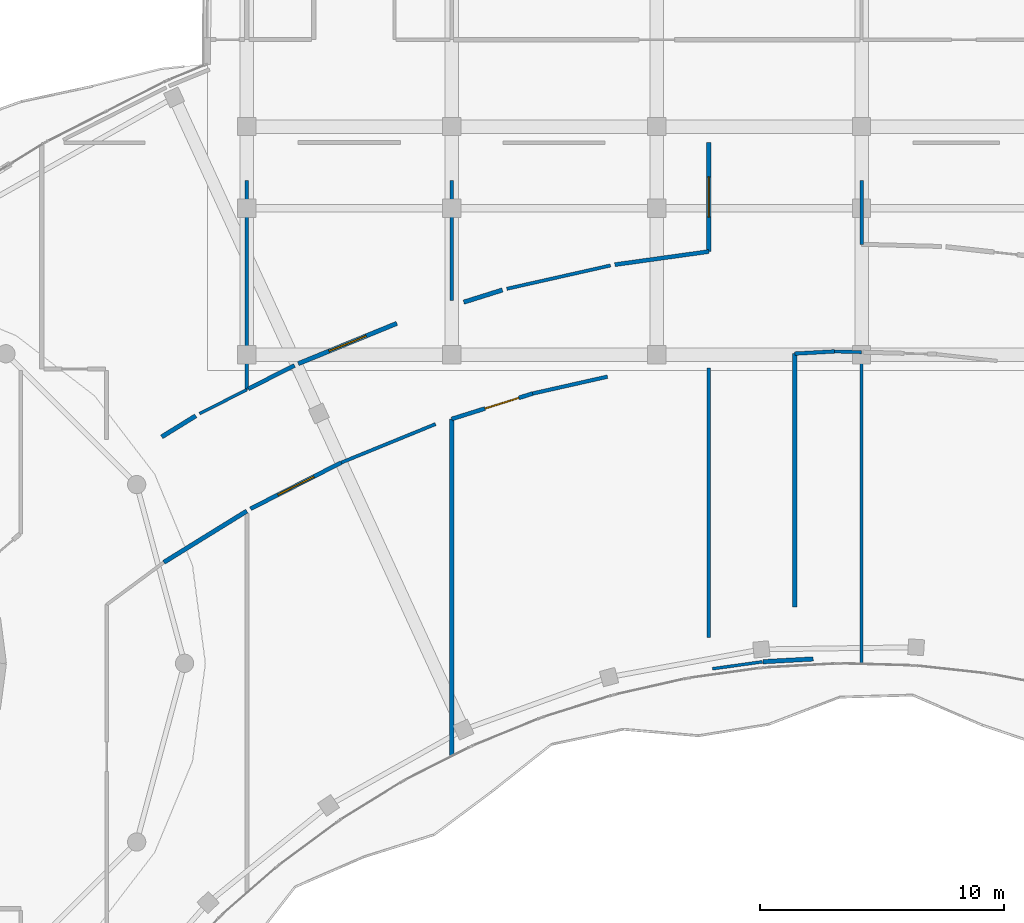
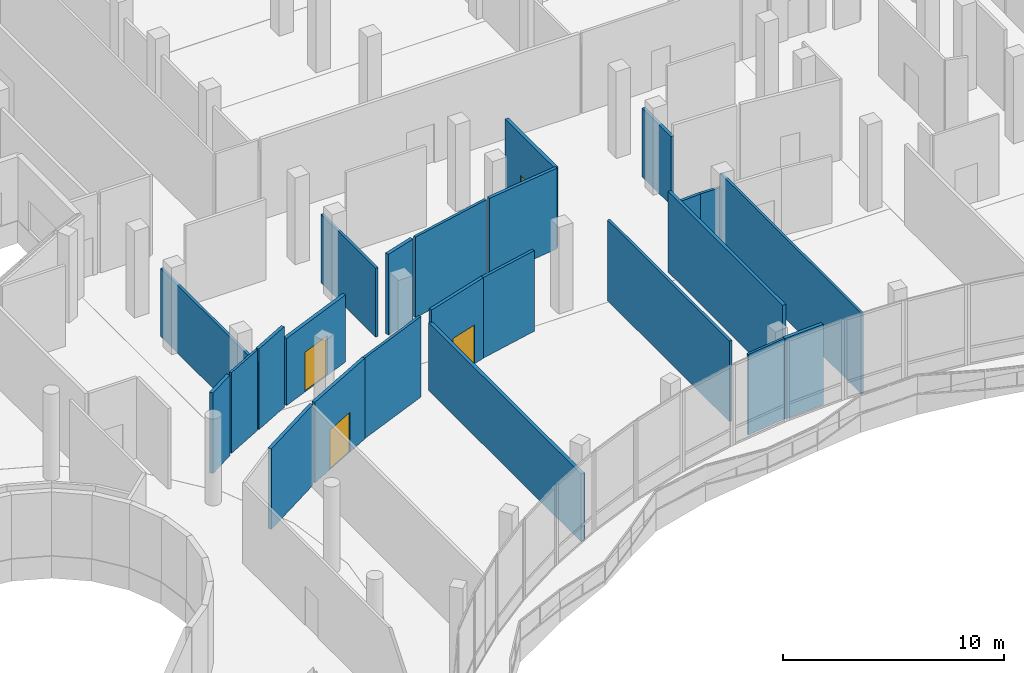
# One storey, part 133 of 155: 24 walls, 4 doors, 4 openings.
"""IFC4 building model written with IfcOpenShell, lengths in metres."""

from ifc_helpers import new_model, si_unit, direction, frame, frame_2d, origin, place, context, subcontext, project, spatial, rectangle, extrude, material, layer, layer_set, type_object, element, fill, save


model = new_model("IFC4")

# Units and contexts
model_context = context("Model", 3, precision=1e-05, world=origin(), true_north=direction((0.0, 1.0)))
body_context = subcontext(model_context, "Body", "Model", "MODEL_VIEW")
ifc_project = project(units=[si_unit("LENGTHUNIT", "METRE"), si_unit("AREAUNIT", "SQUARE_METRE"), si_unit("VOLUMEUNIT", "CUBIC_METRE"), si_unit("PLANEANGLEUNIT", "RADIAN"), si_unit("MASSUNIT", "GRAM", prefix="KILO")], contexts=[model_context])

# Site, building, storey
site_placement = place(None, origin())
site = spatial("IfcSite", under=ifc_project, at=site_placement, CompositionType="ELEMENT")
building_placement = place(site_placement, origin())
building = spatial("IfcBuilding", under=site, at=building_placement, Name="Selatvlak General Hospital", CompositionType="ELEMENT")
storey_placement = place(building_placement, frame((0.0, 0.0, 10.199951171875)))
storey = spatial("IfcBuildingStorey", under=building, at=storey_placement, Name="L02", CompositionType="ELEMENT", Elevation=10.199951171875)

# Walls
ifc_material_1 = material(Name="Acoustic gypsum stud partition")
ifc_layer_1 = layer(ifc_material_1, 0.179931640625, Name="Acoustic gypsum stud partition")
ifc_layer_set_1 = layer_set([ifc_layer_1], Name="Acoustic gypsum stud partition")
wall_type_1 = type_object("IfcWallType", Name="WALL-PT-01", PredefinedType="PARTITIONING", material=ifc_layer_set_1)
wall_1_placement = place(storey_placement, frame((111.802978515625, 58.139892578125, 0.0), z_axis=(0.0, 0.0, 1.0), x_axis=(0.850687032492, 0.525672495714, 0.0)))
element("IfcWall", 1, at=wall_1_placement, inside=storey, type_object=wall_type_1, Name="L02 clinical partition PT-L02-1180", PredefinedType="PARTITIONING", context=body_context, shape_type="SweptSolid", body=[
    extrude(rectangle(XDim=3.9931640625, YDim=0.179931640625, at=frame_2d((1.99658203125, 0.0))), origin(), (0.0, 0.0, 1.0), 4.4599609375),
])
wall_2_placement = place(storey_placement, frame((113.10693359375, 64.14208984375, 0.0), z_axis=(0.0, 0.0, 1.0), x_axis=(-0.850576382598, -0.525851516463, 0.0)))
element("IfcWall", 2, at=wall_2_placement, inside=storey, type_object=wall_type_1, Name="L02 clinical partition PT-L02-1185", PredefinedType="PARTITIONING", context=body_context, shape_type="SweptSolid", body=[
    extrude(rectangle(XDim=1.637451171875, YDim=0.179931640625, at=frame_2d((0.81884765625, 0.0))), origin(), (0.0, 0.0, 1.0), 4.4599609375),
])
wall_3_placement = place(storey_placement, frame((123.60009765625, 64.013916015625, 0.0), z_axis=(0.0, 0.0, 1.0), x_axis=(0.0, -1.0, 0.0)))
element("IfcWall", 3, at=wall_3_placement, inside=storey, type_object=wall_type_1, Name="L02 clinical partition PT-L02-1191", PredefinedType="PARTITIONING", context=body_context, shape_type="SweptSolid", body=[
    extrude(rectangle(XDim=13.807861328125, YDim=0.179931640625, at=frame_2d((6.90380859375, 0.0))), origin(), (0.0, 0.0, 1.0), 3.760009765625),
])

# Wall, opening, door
wall_4_placement = place(storey_placement, frame((121.35009765625, 67.931884765625, 0.0), z_axis=(0.0, 0.0, 1.0), x_axis=(-0.925632511798, -0.378423642368, 0.0)))
wall_4 = element("IfcWall", 4, at=wall_4_placement, inside=storey, type_object=wall_type_1, Name="L02 clinical partition PT-L02-1194", PredefinedType="PARTITIONING", context=body_context, shape_type="SweptSolid", body=[
    extrude(rectangle(XDim=4.362548828125, YDim=0.179931640625, at=frame_2d((2.18115234375, 0.0))), origin(), (0.0, 0.0, 1.0), 3.7099609375),
])
opening_1_placement = place(wall_4_placement, frame((1.35595703125, 0.0, 0.0)))
opening_1 = element("IfcOpeningElement", 5, at=opening_1_placement, cuts=wall_4, Name="Opening D-19", PredefinedType="OPENING", context=body_context, shape_type="SweptSolid", body=[
    extrude(rectangle(XDim=1.64990234375, YDim=2.199951171875, at=frame_2d((0.824951171875, 1.10009765625))), frame((0.0, 0.099853515625, 0.0), z_axis=(0.0, -1.0, 0.0), x_axis=(1.0, 0.0, 0.0)), (0.0, 0.0, 1.0), 0.199951171875),
])
ifc_material_2 = material(Name="Hermetic operating theatre sliding door")
door_type_1 = type_object("IfcDoorType", Name="DOOR-D-19", OperationType="DOUBLE_DOOR_SLIDING", PredefinedType="DOOR", material=ifc_material_2)
door_1_placement = place(opening_1_placement, origin())
door_1 = element("IfcDoor", 6, at=door_1_placement, inside=storey, type_object=door_type_1, Name="L02 Operating Theatre 29 door", OperationType="DOUBLE_DOOR_SLIDING", OverallHeight=2.199951171875, OverallWidth=1.64990234375, PredefinedType="DOOR", context=body_context, shape_type="SweptSolid", body=[
    extrude(rectangle(XDim=1.64990234375, YDim=2.199951171875, at=frame_2d((0.824951171875, 1.10009765625))), frame((0.0, 0.02490234375, 0.0), z_axis=(0.0, -1.0, 0.0), x_axis=(1.0, 0.0, 0.0)), (0.0, 0.0, 1.0), 0.050048828125),
])
fill(opening_1, door_1)

# Wall
wall_5_placement = place(storey_placement, frame((136.35302734375, 54.06396484375, 0.0), z_axis=(0.0, 0.0, 1.0), x_axis=(0.998477747352, 0.055156033595, 0.0)))
element("IfcWall", 7, at=wall_5_placement, inside=storey, type_object=wall_type_1, Name="L02 clinical partition PT-L02-1200", PredefinedType="PARTITIONING", context=body_context, shape_type="SweptSolid", body=[
    extrude(rectangle(XDim=2.067138671875, YDim=0.179931640625, at=frame_2d((1.03369140625, 0.0))), origin(), (0.0, 0.0, 1.0), 4.4599609375),
])

# Wall, opening, door
wall_6_placement = place(storey_placement, frame((134.139892578125, 75.340087890625, 0.0), z_axis=(0.0, 0.0, 1.0), x_axis=(0.0, -1.0, 0.0)))
wall_6 = element("IfcWall", 8, at=wall_6_placement, inside=storey, type_object=wall_type_1, Name="L02 clinical partition PT-L02-1206", PredefinedType="PARTITIONING", context=body_context, shape_type="SweptSolid", body=[
    extrude(rectangle(XDim=4.463134765625, YDim=0.179931640625, at=frame_2d((2.2314453125, 0.0))), origin(), (0.0, 0.0, 1.0), 4.4599609375),
])
opening_2_placement = place(wall_6_placement, frame((1.406982421875, 0.0, 0.0)))
opening_2 = element("IfcOpeningElement", 9, at=opening_2_placement, cuts=wall_6, Name="Opening D-19", PredefinedType="OPENING", context=body_context, shape_type="SweptSolid", body=[
    extrude(rectangle(XDim=1.64990234375, YDim=2.199951171875, at=frame_2d((0.824951171875, 1.10009765625))), frame((0.0, 0.099853515625, 0.0), z_axis=(0.0, -1.0, 0.0), x_axis=(1.0, 0.0, 0.0)), (0.0, 0.0, 1.0), 0.199951171875),
])
door_2_placement = place(opening_2_placement, origin())
door_2 = element("IfcDoor", 10, at=door_2_placement, inside=storey, type_object=door_type_1, Name="L02 Operating Theatre 31 door", OperationType="DOUBLE_DOOR_SLIDING", OverallHeight=2.199951171875, OverallWidth=1.64990234375, PredefinedType="DOOR", context=body_context, shape_type="SweptSolid", body=[
    extrude(rectangle(XDim=1.64990234375, YDim=2.199951171875, at=frame_2d((0.824951171875, 1.10009765625))), frame((0.0, 0.02490234375, 0.0), z_axis=(0.0, -1.0, 0.0), x_axis=(1.0, 0.0, 0.0)), (0.0, 0.0, 1.0), 0.050048828125),
])
fill(opening_2, door_2)

# Wall
wall_7_placement = place(storey_placement, frame((125.679931640625, 69.301025390625, 0.0), z_axis=(0.0, 0.0, 1.0), x_axis=(-0.953945729363, -0.299979241664, 0.0)))
element("IfcWall", 11, at=wall_7_placement, inside=storey, type_object=wall_type_1, Name="L02 clinical partition PT-L02-1209", PredefinedType="PARTITIONING", context=body_context, shape_type="SweptSolid", body=[
    extrude(rectangle(XDim=1.66357421875, YDim=0.179931640625, at=frame_2d((0.831787109375, 0.0))), origin(), (0.0, 0.0, 1.0), 4.4599609375),
])

# Wall, opening, door
ifc_layer_2 = layer(ifc_material_1, 0.1650390625, Name="Acoustic gypsum stud partition")
ifc_layer_set_2 = layer_set([ifc_layer_2], Name="Acoustic gypsum stud partition")
wall_type_2 = type_object("IfcWallType", Name="WALL-PT-02", PredefinedType="PARTITIONING", material=ifc_layer_set_2)
wall_8_placement = place(storey_placement, frame((115.35302734375, 60.333984375, 0.0), z_axis=(0.0, 0.0, 1.0), x_axis=(0.891282591813, 0.453448278782, 0.0)))
wall_8 = element("IfcWall", 12, at=wall_8_placement, inside=storey, type_object=wall_type_2, Name="L02 clinical partition PT-L02-1189", PredefinedType="PARTITIONING", context=body_context, shape_type="SweptSolid", body=[
    extrude(rectangle(XDim=4.1748046875, YDim=0.1650390625, at=frame_2d((2.08740234375, 0.0))), origin(), (0.0, 0.0, 1.0), 4.4599609375),
])
opening_3_placement = place(wall_8_placement, frame((1.261962890625, 0.0, 0.0)))
opening_3 = element("IfcOpeningElement", 13, at=opening_3_placement, cuts=wall_8, Name="Opening D-19", PredefinedType="OPENING", context=body_context, shape_type="SweptSolid", body=[
    extrude(rectangle(XDim=1.64990234375, YDim=2.199951171875, at=frame_2d((0.824951171875, 1.10009765625))), frame((0.0, 0.092529296875, 0.0), z_axis=(0.0, -1.0, 0.0), x_axis=(1.0, 0.0, 0.0)), (0.0, 0.0, 1.0), 0.18505859375),
])
door_3_placement = place(opening_3_placement, origin())
door_3 = element("IfcDoor", 14, at=door_3_placement, inside=storey, type_object=door_type_1, Name="L02 Operating Theatre 28 door", OperationType="DOUBLE_DOOR_SLIDING", OverallHeight=2.199951171875, OverallWidth=1.64990234375, PredefinedType="DOOR", context=body_context, shape_type="SweptSolid", body=[
    extrude(rectangle(XDim=1.64990234375, YDim=2.199951171875, at=frame_2d((0.824951171875, 1.10009765625))), frame((0.0, 0.02490234375, 0.0), z_axis=(0.0, -1.0, 0.0), x_axis=(1.0, 0.0, 0.0)), (0.0, 0.0, 1.0), 0.050048828125),
])
fill(opening_3, door_3)

# Wall
wall_9_placement = place(storey_placement, frame((117.15087890625, 66.2080078125, 0.0), z_axis=(0.0, 0.0, 1.0), x_axis=(-0.891105476665, -0.453796242225, 0.0)))
element("IfcWall", 15, at=wall_9_placement, inside=storey, type_object=wall_type_2, Name="L02 clinical partition PT-L02-1195", PredefinedType="PARTITIONING", context=body_context, shape_type="SweptSolid", body=[
    extrude(rectangle(XDim=2.117431640625, YDim=0.1650390625, at=frame_2d((1.05859375, 0.0))), origin(), (0.0, 0.0, 1.0), 4.4599609375),
])

# Wall, opening, door
wall_10_placement = place(storey_placement, frame((123.60009765625, 64.013916015625, 0.0), z_axis=(0.0, 0.0, 1.0), x_axis=(0.953976505083, 0.299881356123, 0.0)))
wall_10 = element("IfcWall", 16, at=wall_10_placement, inside=storey, type_object=wall_type_2, Name="L02 clinical partition PT-L02-1196", PredefinedType="PARTITIONING", context=body_context, shape_type="SweptSolid", body=[
    extrude(rectangle(XDim=3.47802734375, YDim=0.1650390625, at=frame_2d((1.739013671875, 0.0))), origin(), (0.0, 0.0, 1.0), 4.4599609375),
])
opening_4_placement = place(wall_10_placement, frame((1.430908203125, 0.0, 0.0)))
opening_4 = element("IfcOpeningElement", 17, at=opening_4_placement, cuts=wall_10, Name="Opening D-12", PredefinedType="OPENING", context=body_context, shape_type="SweptSolid", body=[
    extrude(rectangle(XDim=1.449951171875, YDim=2.14990234375, at=frame_2d((0.72509765625, 1.074951171875))), frame((0.0, 0.092529296875, 0.0), z_axis=(0.0, -1.0, 0.0), x_axis=(1.0, 0.0, 0.0)), (0.0, 0.0, 1.0), 0.18505859375),
])
ifc_material_3 = material(Name="Isolation anteroom door")
door_type_2 = type_object("IfcDoorType", Name="DOOR-D-12", OperationType="NOTDEFINED", PredefinedType="DOOR", material=ifc_material_3)
door_4_placement = place(opening_4_placement, origin())
door_4 = element("IfcDoor", 18, at=door_4_placement, inside=storey, type_object=door_type_2, Name="L02 Post-Anaesthesia Recovery Suite 30 door", OperationType="SINGLE_SWING_RIGHT", OverallHeight=2.14990234375, OverallWidth=1.449951171875, PredefinedType="DOOR", context=body_context, shape_type="SweptSolid", body=[
    extrude(rectangle(XDim=1.449951171875, YDim=2.14990234375, at=frame_2d((0.72509765625, 1.074951171875))), frame((0.0, 0.02490234375, 0.0), z_axis=(0.0, -1.0, 0.0), x_axis=(1.0, 0.0, 0.0)), (0.0, 0.0, 1.0), 0.050048828125),
])
fill(opening_4, door_4)

# Walls
wall_11_placement = place(storey_placement, frame((137.659912109375, 56.303955078125, 0.0), z_axis=(0.0, 0.0, 1.0), x_axis=(0.0, 1.0, 0.0)))
element("IfcWall", 19, at=wall_11_placement, inside=storey, type_object=wall_type_2, Name="L02 clinical partition PT-L02-1201", PredefinedType="PARTITIONING", context=body_context, shape_type="SweptSolid", body=[
    extrude(rectangle(XDim=10.38916015625, YDim=0.1650390625, at=frame_2d((5.194580078125, 0.0))), origin(), (0.0, 0.0, 1.0), 4.4599609375),
])
wall_12_placement = place(storey_placement, frame((134.139892578125, 70.876953125, 0.0), z_axis=(0.0, 0.0, 1.0), x_axis=(-0.990396303656, -0.138257591848, 0.0)))
element("IfcWall", 20, at=wall_12_placement, inside=storey, type_object=wall_type_2, Name="L02 clinical partition PT-L02-1207", PredefinedType="PARTITIONING", context=body_context, shape_type="SweptSolid", body=[
    extrude(rectangle(XDim=3.89013671875, YDim=0.1650390625, at=frame_2d((1.945068359375, 0.0))), origin(), (0.0, 0.0, 1.0), 4.4599609375),
])
ifc_layer_3 = layer(ifc_material_1, 0.14990234375, Name="Acoustic gypsum stud partition")
ifc_layer_set_3 = layer_set([ifc_layer_3], Name="Acoustic gypsum stud partition")
wall_type_3 = type_object("IfcWallType", Name="WALL-PT-03", PredefinedType="PARTITIONING", material=ifc_layer_set_3)
wall_13_placement = place(storey_placement, frame((126.91796875, 65.056884765625, 0.0), z_axis=(0.0, 0.0, 1.0), x_axis=(0.975537780093, 0.219831843942, 0.0)))
element("IfcWall", 21, at=wall_13_placement, inside=storey, type_object=wall_type_3, Name="L02 clinical partition PT-L02-1197", PredefinedType="PARTITIONING", context=body_context, shape_type="SweptSolid", body=[
    extrude(rectangle(XDim=3.14404296875, YDim=0.14990234375, at=frame_2d((1.572021484375, 0.0))), origin(), (0.0, 0.0, 1.0), 4.4599609375),
])
wall_14_placement = place(storey_placement, frame((137.659912109375, 66.693115234375, 0.0), z_axis=(0.0, 0.0, 1.0), x_axis=(0.998484643385, 0.055031054181, 0.0)))
element("IfcWall", 22, at=wall_14_placement, inside=storey, type_object=wall_type_3, Name="L02 clinical partition PT-L02-1202", PredefinedType="PARTITIONING", context=body_context, shape_type="SweptSolid", body=[
    extrude(rectangle(XDim=1.632568359375, YDim=0.14990234375, at=frame_2d((0.81640625, 0.0))), origin(), (0.0, 0.0, 1.0), 3.7099609375),
])
wall_15_placement = place(storey_placement, frame((140.39990234375, 71.174072265625, 0.0), z_axis=(0.0, 0.0, 1.0), x_axis=(0.0, 1.0, 0.0)))
element("IfcWall", 23, at=wall_15_placement, inside=storey, type_object=wall_type_3, Name="L02 clinical partition PT-L02-1217", PredefinedType="PARTITIONING", context=body_context, shape_type="SweptSolid", body=[
    extrude(rectangle(XDim=2.615966796875, YDim=0.14990234375, at=frame_2d((1.30810546875, 0.0))), origin(), (0.0, 0.0, 1.0), 3.81005859375),
])
ifc_material_4 = material(Name="Moisture-resistant clinical partition")
ifc_layer_4 = layer(ifc_material_4, 0.135009765625, Name="Moisture-resistant clinical partition")
ifc_layer_set_4 = layer_set([ifc_layer_4], Name="Moisture-resistant clinical partition")
wall_type_4 = type_object("IfcWallType", Name="WALL-PT-04", PredefinedType="PARTITIONING", material=ifc_layer_set_4)
wall_16_placement = place(storey_placement, frame((115.199951171875, 73.7900390625, 0.0), z_axis=(0.0, 0.0, 1.0), x_axis=(0.0, -1.0, 0.0)))
element("IfcWall", 24, at=wall_16_placement, inside=storey, type_object=wall_type_4, Name="L02 clinical partition PT-L02-1183", PredefinedType="PARTITIONING", context=body_context, shape_type="SweptSolid", body=[
    extrude(rectangle(XDim=8.574951171875, YDim=0.135009765625, at=frame_2d((4.28759765625, 0.0))), origin(), (0.0, 0.0, 1.0), 3.760009765625),
])
wall_17_placement = place(storey_placement, frame((119.073974609375, 62.22705078125, 0.0), z_axis=(0.0, 0.0, 1.0), x_axis=(0.925752783847, 0.378129320736, 0.0)))
element("IfcWall", 25, at=wall_17_placement, inside=storey, type_object=wall_type_4, Name="L02 clinical partition PT-L02-1190", PredefinedType="PARTITIONING", context=body_context, shape_type="SweptSolid", body=[
    extrude(rectangle(XDim=4.1728515625, YDim=0.135009765625, at=frame_2d((2.08642578125, 0.0))), origin(), (0.0, 0.0, 1.0), 4.4599609375),
])
wall_18_placement = place(storey_placement, frame((123.60009765625, 73.7900390625, 0.0), z_axis=(0.0, 0.0, 1.0), x_axis=(0.0, -1.0, 0.0)))
element("IfcWall", 26, at=wall_18_placement, inside=storey, type_object=wall_type_4, Name="L02 clinical partition PT-L02-1193", PredefinedType="PARTITIONING", context=body_context, shape_type="SweptSolid", body=[
    extrude(rectangle(XDim=4.929931640625, YDim=0.135009765625, at=frame_2d((2.46484375, 0.0))), origin(), (0.0, 0.0, 1.0), 3.81005859375),
])
wall_19_placement = place(storey_placement, frame((134.139892578125, 66.10888671875, 0.0), z_axis=(0.0, 0.0, 1.0), x_axis=(0.0, -1.0, 0.0)))
element("IfcWall", 27, at=wall_19_placement, inside=storey, type_object=wall_type_4, Name="L02 clinical partition PT-L02-1198", PredefinedType="PARTITIONING", context=body_context, shape_type="SweptSolid", body=[
    extrude(rectangle(XDim=11.0458984375, YDim=0.135009765625, at=frame_2d((5.52294921875, 0.0))), origin(), (0.0, 0.0, 1.0), 4.4599609375),
])
wall_20_placement = place(storey_placement, frame((139.2900390625, 66.782958984375, 0.0), z_axis=(0.0, 0.0, 1.0), x_axis=(0.999634166902, -0.027046854934, 0.0)))
element("IfcWall", 28, at=wall_20_placement, inside=storey, type_object=wall_type_4, Name="L02 clinical partition PT-L02-1203", PredefinedType="PARTITIONING", context=body_context, shape_type="SweptSolid", body=[
    extrude(rectangle(XDim=1.1103515625, YDim=0.135009765625, at=frame_2d((0.55517578125, 0.0))), origin(), (0.0, 0.0, 1.0), 3.7099609375),
])
wall_21_placement = place(storey_placement, frame((130.10791015625, 70.305908203125, 0.0), z_axis=(0.0, 0.0, 1.0), x_axis=(-0.975583344842, -0.219629545521, 0.0)))
element("IfcWall", 29, at=wall_21_placement, inside=storey, type_object=wall_type_4, Name="L02 clinical partition PT-L02-1208", PredefinedType="PARTITIONING", context=body_context, shape_type="SweptSolid", body=[
    extrude(rectangle(XDim=4.3564453125, YDim=0.135009765625, at=frame_2d((2.17822265625, 0.0))), origin(), (0.0, 0.0, 1.0), 4.4599609375),
])
ifc_layer_5 = layer(ifc_material_4, 0.1201171875, Name="Moisture-resistant clinical partition")
ifc_layer_set_5 = layer_set([ifc_layer_5], Name="Moisture-resistant clinical partition")
wall_type_5 = type_object("IfcWallType", Name="WALL-PT-05", PredefinedType="PARTITIONING", material=ifc_layer_set_5)
wall_22_placement = place(storey_placement, frame((115.199951171875, 65.215087890625, 0.0), z_axis=(0.0, 0.0, 1.0), x_axis=(-0.891321133159, -0.45337251525, 0.0)))
element("IfcWall", 30, at=wall_22_placement, inside=storey, type_object=wall_type_5, Name="L02 clinical partition PT-L02-1184", PredefinedType="PARTITIONING", context=body_context, shape_type="SweptSolid", body=[
    extrude(rectangle(XDim=2.16845703125, YDim=0.1201171875, at=frame_2d((1.084228515625, 0.0))), origin(), (0.0, 0.0, 1.0), 4.4599609375),
])
wall_23_placement = place(storey_placement, frame((134.282958984375, 53.77490234375, 0.0), z_axis=(0.0, 0.0, 1.0), x_axis=(0.990372536163, 0.138427741489, 0.0)))
element("IfcWall", 31, at=wall_23_placement, inside=storey, type_object=wall_type_5, Name="L02 clinical partition PT-L02-1199", PredefinedType="PARTITIONING", context=body_context, shape_type="SweptSolid", body=[
    extrude(rectangle(XDim=2.067138671875, YDim=0.1201171875, at=frame_2d((1.03369140625, 0.0))), origin(), (0.0, 0.0, 1.0), 4.4599609375),
])
wall_24_placement = place(storey_placement, frame((140.39990234375, 66.7529296875, 0.0), z_axis=(0.0, 0.0, 1.0), x_axis=(0.0, -1.0, 0.0)))
element("IfcWall", 32, at=wall_24_placement, inside=storey, type_object=wall_type_5, Name="L02 clinical partition PT-L02-1204", PredefinedType="PARTITIONING", context=body_context, shape_type="SweptSolid", body=[
    extrude(rectangle(XDim=12.77099609375, YDim=0.1201171875, at=frame_2d((6.385498046875, 0.0))), origin(), (0.0, 0.0, 1.0), 4.4599609375),
])

save(model, "model.ifc")
